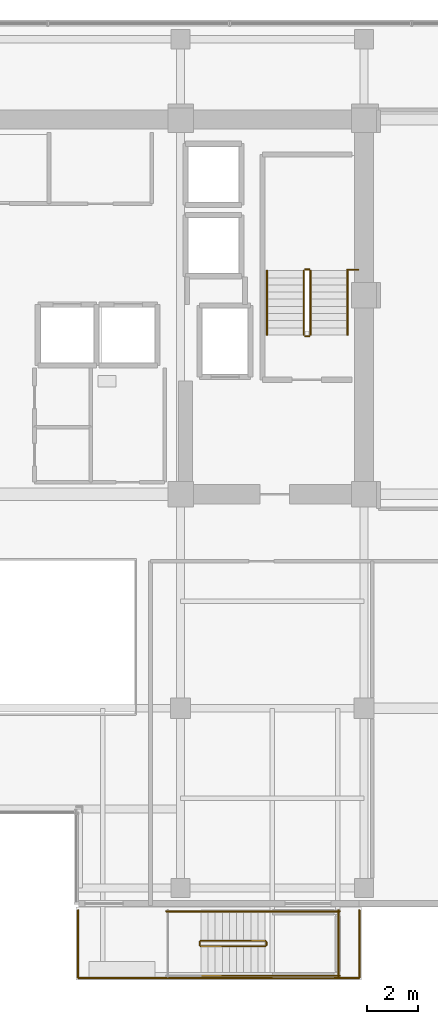
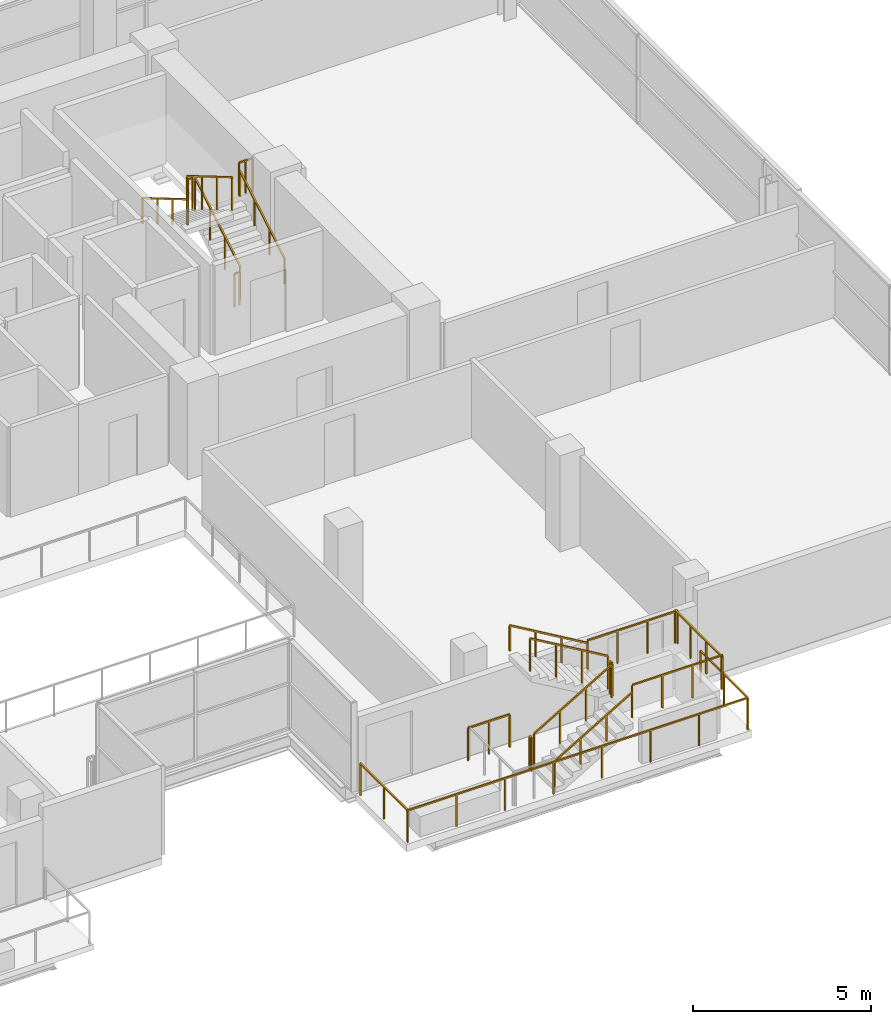
# One storey, part 22 of 23: 18 railings.
"""IFC4 building model written with IfcOpenShell, lengths in metres."""

from ifc_helpers import new_model, si_unit, direction, frame, origin, origin_2d, place, context, subcontext, project, spatial, rectangle, extrude, material, type_object, element, save


model = new_model("IFC4")

# Units and contexts
model_context = context("Model", 3, precision=1e-05, world=origin(), true_north=direction((0.0, 1.0)))
body_context = subcontext(model_context, "Body", "Model", "MODEL_VIEW")
ifc_project = project(units=[si_unit("LENGTHUNIT", "METRE"), si_unit("AREAUNIT", "SQUARE_METRE"), si_unit("VOLUMEUNIT", "CUBIC_METRE"), si_unit("PLANEANGLEUNIT", "RADIAN"), si_unit("MASSUNIT", "GRAM", prefix="KILO")], contexts=[model_context])

# Site, building, storey
site_placement = place(None, origin())
site = spatial("IfcSite", under=ifc_project, at=site_placement, CompositionType="ELEMENT")
building_placement = place(site_placement, origin())
building = spatial("IfcBuilding", under=site, at=building_placement, Name="Zarnakvel Exchange Tower", CompositionType="ELEMENT")
storey_placement = place(building_placement, frame((0.0, 0.0, 172.60009765625)))
storey = spatial("IfcBuildingStorey", under=building, at=storey_placement, Name="L48", CompositionType="ELEMENT", Elevation=172.60009765625)

# Railings
ifc_material_1 = material(Name="Architectural Bronze Anodised Aluminium", Category="aluminium")
railing_type_1 = type_object("IfcRailingType", Name="GR-02", PredefinedType="GUARDRAIL", material=ifc_material_1)
railing_1_placement = place(storey_placement, frame((3.179931640625, -17.52001953125, 0.0)))
element("IfcRailing", 1, at=railing_1_placement, inside=storey, type_object=railing_type_1, Name="L48 Spiral Sky-Terrace Perimeter Guardrail", PredefinedType="GUARDRAIL", context=body_context, shape_type="SweptSolid", body=[
    extrude(rectangle(XDim=0.048095703125, YDim=0.048095703125, at=origin_2d()), frame((0.0, 0.0, 1.09619140625), z_axis=(0.0, -1.0, 0.0), x_axis=(1.0, 0.0, 0.0)), (0.0, 0.0, 1.0), 2.659912109375),
    extrude(rectangle(XDim=0.048095703125, YDim=0.048095703125, at=origin_2d()), frame((0.0, -2.659912109375, 1.09619140625), z_axis=(1.0, 0.0, 0.0), x_axis=(0.0, 1.0, 0.0)), (0.0, 0.0, 1.0), 11.0400390625),
    extrude(rectangle(XDim=0.048095703125, YDim=0.048095703125, at=origin_2d()), frame((11.0400390625, -2.659912109375, 1.09619140625), z_axis=(0.0, 1.0, 0.0), x_axis=(-1.0, 0.0, 0.0)), (0.0, 0.0, 1.0), 2.659912109375),
    extrude(rectangle(XDim=0.0419921875, YDim=0.0419921875, at=origin_2d()), origin(), (0.0, 0.0, 1.0), 1.072021484375),
    extrude(rectangle(XDim=0.0419921875, YDim=0.0419921875, at=origin_2d()), frame((0.0, -1.330078125, 0.0)), (0.0, 0.0, 1.0), 1.072021484375),
    extrude(rectangle(XDim=0.0419921875, YDim=0.0419921875, at=origin_2d()), frame((0.0, -2.659912109375, 0.0)), (0.0, 0.0, 1.0), 1.072021484375),
    extrude(rectangle(XDim=0.0419921875, YDim=0.0419921875, at=origin_2d()), frame((1.5771484375, -2.659912109375, 0.0)), (0.0, 0.0, 1.0), 1.072021484375),
    extrude(rectangle(XDim=0.0419921875, YDim=0.0419921875, at=origin_2d()), frame((3.154296875, -2.659912109375, 0.0)), (0.0, 0.0, 1.0), 1.072021484375),
    extrude(rectangle(XDim=0.0419921875, YDim=0.0419921875, at=origin_2d()), frame((4.7314453125, -2.659912109375, 0.0)), (0.0, 0.0, 1.0), 1.072021484375),
    extrude(rectangle(XDim=0.0419921875, YDim=0.0419921875, at=origin_2d()), frame((6.30859375, -2.659912109375, 0.0)), (0.0, 0.0, 1.0), 1.072021484375),
    extrude(rectangle(XDim=0.0419921875, YDim=0.0419921875, at=origin_2d()), frame((7.8857421875, -2.659912109375, 0.0)), (0.0, 0.0, 1.0), 1.072021484375),
    extrude(rectangle(XDim=0.0419921875, YDim=0.0419921875, at=origin_2d()), frame((9.462890625, -2.659912109375, 0.0)), (0.0, 0.0, 1.0), 1.072021484375),
    extrude(rectangle(XDim=0.0419921875, YDim=0.0419921875, at=origin_2d()), frame((11.0400390625, -2.659912109375, 0.0)), (0.0, 0.0, 1.0), 1.072021484375),
    extrude(rectangle(XDim=0.0419921875, YDim=0.0419921875, at=origin_2d()), frame((11.0400390625, -1.330078125, 0.0)), (0.0, 0.0, 1.0), 1.072021484375),
    extrude(rectangle(XDim=0.0419921875, YDim=0.0419921875, at=origin_2d()), frame((11.0400390625, 0.0, 0.0)), (0.0, 0.0, 1.0), 1.072021484375),
])
ifc_material_2 = material(Name="Brushed Stainless Steel", Category="steel")
railing_type_2 = type_object("IfcRailingType", Name="HR-01", PredefinedType="HANDRAIL", material=ifc_material_2)
railing_2_placement = place(storey_placement, frame((13.75, 5.050048828125, 0.164794921875)))
element("IfcRailing", 2, at=railing_2_placement, inside=storey, type_object=railing_type_2, Name="L48 ST-02 stair handrail 1", PredefinedType="HANDRAIL", context=body_context, shape_type="SweptSolid", body=[
    extrude(rectangle(XDim=0.048095703125, YDim=0.048095703125, at=origin_2d()), frame((0.0, 0.0, 0.8759765625), z_axis=(0.0, 0.86152411907, 0.507716645641), x_axis=(-1.0, 0.0, 0.0)), (0.0, 0.0, 1.0), 2.925048828125),
    extrude(rectangle(XDim=0.0419921875, YDim=0.0419921875, at=origin_2d()), origin(), (0.0, 0.0, 1.0), 0.851806640625),
    extrude(rectangle(XDim=0.0419921875, YDim=0.0419921875, at=origin_2d()), frame((0.0, 0.840087890625, 0.4951171875)), (0.0, 0.0, 1.0), 0.851806640625),
    extrude(rectangle(XDim=0.0419921875, YDim=0.0419921875, at=origin_2d()), frame((0.0, 1.679931640625, 0.989990234375)), (0.0, 0.0, 1.0), 0.851806640625),
    extrude(rectangle(XDim=0.0419921875, YDim=0.0419921875, at=origin_2d()), frame((0.0, 2.52001953125, 1.485107421875)), (0.0, 0.0, 1.0), 0.851806640625),
])
railing_3_placement = place(storey_placement, frame((10.590087890625, 7.570068359375, 1.81494140625)))
element("IfcRailing", 3, at=railing_3_placement, inside=storey, type_object=railing_type_2, Name="L48 ST-02 stair handrail 2", PredefinedType="HANDRAIL", context=body_context, shape_type="SweptSolid", body=[
    extrude(rectangle(XDim=0.048095703125, YDim=0.048095703125, at=origin_2d()), frame((0.0, 0.0, 0.8759765625), z_axis=(0.0, -0.861560626758, 0.507654692109), x_axis=(1.0, 0.0, 0.0)), (0.0, 0.0, 1.0), 2.925048828125),
    extrude(rectangle(XDim=0.0419921875, YDim=0.0419921875, at=origin_2d()), origin(), (0.0, 0.0, 1.0), 0.851806640625),
    extrude(rectangle(XDim=0.0419921875, YDim=0.0419921875, at=origin_2d()), frame((0.0, -0.840087890625, 0.494873046875)), (0.0, 0.0, 1.0), 0.851806640625),
    extrude(rectangle(XDim=0.0419921875, YDim=0.0419921875, at=origin_2d()), frame((0.0, -1.679931640625, 0.989990234375)), (0.0, 0.0, 1.0), 0.851806640625),
    extrude(rectangle(XDim=0.0419921875, YDim=0.0419921875, at=origin_2d()), frame((0.0, -2.52001953125, 1.48486328125)), (0.0, 0.0, 1.0), 0.851806640625),
])
railing_4_placement = place(storey_placement, frame((8.0, -20.090087890625, 0.164794921875)))
element("IfcRailing", 4, at=railing_4_placement, inside=storey, type_object=railing_type_2, Name="L48 ST-12 stair handrail 1", PredefinedType="HANDRAIL", context=body_context, shape_type="SweptSolid", body=[
    extrude(rectangle(XDim=0.048095703125, YDim=0.048095703125, at=origin_2d()), frame((0.0, 0.0, 0.8759765625), z_axis=(0.86152411907, 0.0, 0.507716645641), x_axis=(0.0, 1.0, 0.0)), (0.0, 0.0, 1.0), 2.925048828125),
    extrude(rectangle(XDim=0.0419921875, YDim=0.0419921875, at=origin_2d()), origin(), (0.0, 0.0, 1.0), 0.851806640625),
    extrude(rectangle(XDim=0.0419921875, YDim=0.0419921875, at=origin_2d()), frame((0.840087890625, 0.0, 0.4951171875)), (0.0, 0.0, 1.0), 0.851806640625),
    extrude(rectangle(XDim=0.0419921875, YDim=0.0419921875, at=origin_2d()), frame((1.679931640625, 0.0, 0.989990234375)), (0.0, 0.0, 1.0), 0.851806640625),
    extrude(rectangle(XDim=0.0419921875, YDim=0.0419921875, at=origin_2d()), frame((2.52001953125, 0.0, 1.485107421875)), (0.0, 0.0, 1.0), 0.851806640625),
])
railing_5_placement = place(storey_placement, frame((10.52001953125, -17.570068359375, 1.81494140625)))
element("IfcRailing", 5, at=railing_5_placement, inside=storey, type_object=railing_type_2, Name="L48 ST-12 stair handrail 2", PredefinedType="HANDRAIL", context=body_context, shape_type="SweptSolid", body=[
    extrude(rectangle(XDim=0.048095703125, YDim=0.048095703125, at=origin_2d()), frame((0.0, 0.0, 0.8759765625), z_axis=(-0.861560626758, 0.0, 0.507654692109), x_axis=(0.0, -1.0, 0.0)), (0.0, 0.0, 1.0), 2.925048828125),
    extrude(rectangle(XDim=0.0419921875, YDim=0.0419921875, at=origin_2d()), origin(), (0.0, 0.0, 1.0), 0.851806640625),
    extrude(rectangle(XDim=0.0419921875, YDim=0.0419921875, at=origin_2d()), frame((-0.840087890625, 0.0, 0.494873046875)), (0.0, 0.0, 1.0), 0.851806640625),
    extrude(rectangle(XDim=0.0419921875, YDim=0.0419921875, at=origin_2d()), frame((-1.679931640625, 0.0, 0.989990234375)), (0.0, 0.0, 1.0), 0.851806640625),
    extrude(rectangle(XDim=0.0419921875, YDim=0.0419921875, at=origin_2d()), frame((-2.52001953125, 0.0, 1.48486328125)), (0.0, 0.0, 1.0), 0.851806640625),
])
railing_type_3 = type_object("IfcRailingType", Name="SG-01", PredefinedType="GUARDRAIL", material=ifc_material_1)
railing_6_placement = place(storey_placement, frame((12.300048828125, 5.050048828125, 0.164794921875)))
element("IfcRailing", 6, at=railing_6_placement, inside=storey, type_object=railing_type_3, Name="L48 ST-02 stair guard 1", PredefinedType="GUARDRAIL", context=body_context, shape_type="SweptSolid", body=[
    extrude(rectangle(XDim=0.048095703125, YDim=0.048095703125, at=origin_2d()), frame((0.0, 0.0, 1.1259765625), z_axis=(0.0, 0.86152411907, 0.507716645641), x_axis=(-1.0, 0.0, 0.0)), (0.0, 0.0, 1.0), 2.925048828125),
    extrude(rectangle(XDim=0.0419921875, YDim=0.0419921875, at=origin_2d()), origin(), (0.0, 0.0, 1.0), 1.101806640625),
    extrude(rectangle(XDim=0.0419921875, YDim=0.0419921875, at=origin_2d()), frame((0.0, 0.840087890625, 0.4951171875)), (0.0, 0.0, 1.0), 1.101806640625),
    extrude(rectangle(XDim=0.0419921875, YDim=0.0419921875, at=origin_2d()), frame((0.0, 1.679931640625, 0.989990234375)), (0.0, 0.0, 1.0), 1.101806640625),
    extrude(rectangle(XDim=0.0419921875, YDim=0.0419921875, at=origin_2d()), frame((0.0, 2.52001953125, 1.485107421875)), (0.0, 0.0, 1.0), 1.101806640625),
])
railing_7_placement = place(storey_placement, frame((12.25, 7.6201171875, 1.64990234375)))
element("IfcRailing", 7, at=railing_7_placement, inside=storey, type_object=railing_type_3, Name="L48 ST-02 stair guard 2", PredefinedType="GUARDRAIL", context=body_context, shape_type="SweptSolid", body=[
    extrude(rectangle(XDim=0.048095703125, YDim=0.048095703125, at=origin_2d()), frame((0.0, 0.0, 1.1259765625), z_axis=(-1.0, 0.0, 0.0), x_axis=(0.0, -1.0, 0.0)), (0.0, 0.0, 1.0), 0.159912109375),
    extrude(rectangle(XDim=0.0419921875, YDim=0.0419921875, at=origin_2d()), origin(), (0.0, 0.0, 1.0), 1.101806640625),
    extrude(rectangle(XDim=0.0419921875, YDim=0.0419921875, at=origin_2d()), frame((-0.159912109375, 0.0, 0.0)), (0.0, 0.0, 1.0), 1.101806640625),
])
railing_8_placement = place(storey_placement, frame((12.0400390625, 7.570068359375, 1.81494140625)))
element("IfcRailing", 8, at=railing_8_placement, inside=storey, type_object=railing_type_3, Name="L48 ST-02 stair guard 3", PredefinedType="GUARDRAIL", context=body_context, shape_type="SweptSolid", body=[
    extrude(rectangle(XDim=0.048095703125, YDim=0.048095703125, at=origin_2d()), frame((0.0, 0.0, 1.1259765625), z_axis=(0.0, -0.861560626758, 0.507654692109), x_axis=(1.0, 0.0, 0.0)), (0.0, 0.0, 1.0), 2.925048828125),
    extrude(rectangle(XDim=0.0419921875, YDim=0.0419921875, at=origin_2d()), origin(), (0.0, 0.0, 1.0), 1.101806640625),
    extrude(rectangle(XDim=0.0419921875, YDim=0.0419921875, at=origin_2d()), frame((0.0, -0.840087890625, 0.494873046875)), (0.0, 0.0, 1.0), 1.101806640625),
    extrude(rectangle(XDim=0.0419921875, YDim=0.0419921875, at=origin_2d()), frame((0.0, -1.679931640625, 0.989990234375)), (0.0, 0.0, 1.0), 1.101806640625),
    extrude(rectangle(XDim=0.0419921875, YDim=0.0419921875, at=origin_2d()), frame((0.0, -2.52001953125, 1.48486328125)), (0.0, 0.0, 1.0), 1.101806640625),
])
railing_9_placement = place(storey_placement, frame((12.25, 5.0, 0.0)))
element("IfcRailing", 9, at=railing_9_placement, inside=storey, type_object=railing_type_3, Name="L48 ST-02 stair guard 4", PredefinedType="GUARDRAIL", context=body_context, shape_type="SweptSolid", body=[
    extrude(rectangle(XDim=0.048095703125, YDim=0.048095703125, at=origin_2d()), frame((0.0, 0.0, 1.1259765625), z_axis=(-1.0, 0.0, 0.0), x_axis=(0.0, -1.0, 0.0)), (0.0, 0.0, 1.0), 0.159912109375),
    extrude(rectangle(XDim=0.0419921875, YDim=0.0419921875, at=origin_2d()), origin(), (0.0, 0.0, 1.0), 1.101806640625),
    extrude(rectangle(XDim=0.0419921875, YDim=0.0419921875, at=origin_2d()), frame((-0.159912109375, 0.0, 0.0)), (0.0, 0.0, 1.0), 1.101806640625),
])
railing_10_placement = place(storey_placement, frame((13.75, 7.610107421875, 1.64990234375)))
element("IfcRailing", 10, at=railing_10_placement, inside=storey, type_object=railing_type_3, Name="L48 ST-02 Landing Slot Guardrail", PredefinedType="GUARDRAIL", context=body_context, shape_type="SweptSolid", body=[
    extrude(rectangle(XDim=0.048095703125, YDim=0.048095703125, at=origin_2d()), frame((0.0, 0.0, 1.1259765625), z_axis=(1.0, 0.0, 0.0), x_axis=(0.0, 1.0, 0.0)), (0.0, 0.0, 1.0), 0.429931640625),
    extrude(rectangle(XDim=0.0419921875, YDim=0.0419921875, at=origin_2d()), origin(), (0.0, 0.0, 1.0), 1.101806640625),
    extrude(rectangle(XDim=0.0419921875, YDim=0.0419921875, at=origin_2d()), frame((0.21484375, 0.0, 0.0)), (0.0, 0.0, 1.0), 1.101806640625),
    extrude(rectangle(XDim=0.0419921875, YDim=0.0419921875, at=origin_2d()), frame((0.429931640625, 0.0, 0.0)), (0.0, 0.0, 1.0), 1.101806640625),
])
railing_11_placement = place(storey_placement, frame((8.0, -18.93994140625, 0.164794921875)))
element("IfcRailing", 11, at=railing_11_placement, inside=storey, type_object=railing_type_3, Name="L48 ST-12 stair guard 1", PredefinedType="GUARDRAIL", context=body_context, shape_type="SweptSolid", body=[
    extrude(rectangle(XDim=0.048095703125, YDim=0.048095703125, at=origin_2d()), frame((0.0, 0.0, 1.1259765625), z_axis=(0.86152411907, 0.0, 0.507716645641), x_axis=(0.0, 1.0, 0.0)), (0.0, 0.0, 1.0), 2.925048828125),
    extrude(rectangle(XDim=0.0419921875, YDim=0.0419921875, at=origin_2d()), origin(), (0.0, 0.0, 1.0), 1.101806640625),
    extrude(rectangle(XDim=0.0419921875, YDim=0.0419921875, at=origin_2d()), frame((0.840087890625, 0.0, 0.4951171875)), (0.0, 0.0, 1.0), 1.101806640625),
    extrude(rectangle(XDim=0.0419921875, YDim=0.0419921875, at=origin_2d()), frame((1.679931640625, 0.0, 0.989990234375)), (0.0, 0.0, 1.0), 1.101806640625),
    extrude(rectangle(XDim=0.0419921875, YDim=0.0419921875, at=origin_2d()), frame((2.52001953125, 0.0, 1.485107421875)), (0.0, 0.0, 1.0), 1.101806640625),
])
railing_12_placement = place(storey_placement, frame((10.570068359375, -18.889892578125, 1.64990234375)))
element("IfcRailing", 12, at=railing_12_placement, inside=storey, type_object=railing_type_3, Name="L48 ST-12 stair guard 2", PredefinedType="GUARDRAIL", context=body_context, shape_type="SweptSolid", body=[
    extrude(rectangle(XDim=0.048095703125, YDim=0.048095703125, at=origin_2d()), frame((0.0, 0.0, 1.1259765625), z_axis=(0.0, 1.0, 0.0), x_axis=(-1.0, 0.0, 0.0)), (0.0, 0.0, 1.0), 0.119873046875),
    extrude(rectangle(XDim=0.0419921875, YDim=0.0419921875, at=origin_2d()), origin(), (0.0, 0.0, 1.0), 1.101806640625),
    extrude(rectangle(XDim=0.0419921875, YDim=0.0419921875, at=origin_2d()), frame((0.0, 0.119873046875, 0.0)), (0.0, 0.0, 1.0), 1.101806640625),
])
for number, where, name in (
    (13, (10.52001953125, -20.090087890625, 1.64990234375), "L48 ST-12 stair guard 3"),
    (14, (10.52001953125, -17.570068359375, 1.64990234375), "L48 ST-12 stair guard 4"),
):
    element("IfcRailing", number, at=place(storey_placement, frame(where)), inside=storey, type_object=railing_type_3, Name=name, PredefinedType="GUARDRAIL", context=body_context, shape_type="SweptSolid", body=[
        extrude(rectangle(XDim=0.048095703125, YDim=0.048095703125, at=origin_2d()), frame((0.0, 0.0, 1.1259765625), z_axis=(1.0, 0.0, 0.0), x_axis=(0.0, 1.0, 0.0)), (0.0, 0.0, 1.0), 2.929931640625),
        extrude(rectangle(XDim=0.0419921875, YDim=0.0419921875, at=origin_2d()), origin(), (0.0, 0.0, 1.0), 1.101806640625),
        extrude(rectangle(XDim=0.0419921875, YDim=0.0419921875, at=origin_2d()), frame((0.9765625, 0.0, 0.0)), (0.0, 0.0, 1.0), 1.101806640625),
        extrude(rectangle(XDim=0.0419921875, YDim=0.0419921875, at=origin_2d()), frame((1.953369140625, 0.0, 0.0)), (0.0, 0.0, 1.0), 1.101806640625),
        extrude(rectangle(XDim=0.0419921875, YDim=0.0419921875, at=origin_2d()), frame((2.929931640625, 0.0, 0.0)), (0.0, 0.0, 1.0), 1.101806640625),
    ])
railing_13_placement = place(storey_placement, frame((13.39990234375, -20.139892578125, 1.64990234375)))
element("IfcRailing", 15, at=railing_13_placement, inside=storey, type_object=railing_type_3, Name="L48 ST-12 stair guard 5", PredefinedType="GUARDRAIL", context=body_context, shape_type="SweptSolid", body=[
    extrude(rectangle(XDim=0.048095703125, YDim=0.048095703125, at=origin_2d()), frame((0.0, 0.0, 1.1259765625), z_axis=(0.0, 1.0, 0.0), x_axis=(-1.0, 0.0, 0.0)), (0.0, 0.0, 1.0), 2.619873046875),
    extrude(rectangle(XDim=0.0419921875, YDim=0.0419921875, at=origin_2d()), origin(), (0.0, 0.0, 1.0), 1.101806640625),
    extrude(rectangle(XDim=0.0419921875, YDim=0.0419921875, at=origin_2d()), frame((0.0, 0.873291015625, 0.0)), (0.0, 0.0, 1.0), 1.101806640625),
    extrude(rectangle(XDim=0.0419921875, YDim=0.0419921875, at=origin_2d()), frame((0.0, 1.74658203125, 0.0)), (0.0, 0.0, 1.0), 1.101806640625),
    extrude(rectangle(XDim=0.0419921875, YDim=0.0419921875, at=origin_2d()), frame((0.0, 2.619873046875, 0.0)), (0.0, 0.0, 1.0), 1.101806640625),
])
railing_14_placement = place(storey_placement, frame((10.52001953125, -18.719970703125, 1.81494140625)))
element("IfcRailing", 16, at=railing_14_placement, inside=storey, type_object=railing_type_3, Name="L48 ST-12 stair guard 6", PredefinedType="GUARDRAIL", context=body_context, shape_type="SweptSolid", body=[
    extrude(rectangle(XDim=0.048095703125, YDim=0.048095703125, at=origin_2d()), frame((0.0, 0.0, 1.1259765625), z_axis=(-0.861560626758, 0.0, 0.507654692109), x_axis=(0.0, -1.0, 0.0)), (0.0, 0.0, 1.0), 2.925048828125),
    extrude(rectangle(XDim=0.0419921875, YDim=0.0419921875, at=origin_2d()), origin(), (0.0, 0.0, 1.0), 1.101806640625),
    extrude(rectangle(XDim=0.0419921875, YDim=0.0419921875, at=origin_2d()), frame((-0.840087890625, 0.0, 0.494873046875)), (0.0, 0.0, 1.0), 1.101806640625),
    extrude(rectangle(XDim=0.0419921875, YDim=0.0419921875, at=origin_2d()), frame((-1.679931640625, 0.0, 0.989990234375)), (0.0, 0.0, 1.0), 1.101806640625),
    extrude(rectangle(XDim=0.0419921875, YDim=0.0419921875, at=origin_2d()), frame((-2.52001953125, 0.0, 1.48486328125)), (0.0, 0.0, 1.0), 1.101806640625),
])
railing_15_placement = place(storey_placement, frame((7.949951171875, -18.889892578125, 0.0)))
element("IfcRailing", 17, at=railing_15_placement, inside=storey, type_object=railing_type_3, Name="L48 ST-12 stair guard 7", PredefinedType="GUARDRAIL", context=body_context, shape_type="SweptSolid", body=[
    extrude(rectangle(XDim=0.048095703125, YDim=0.048095703125, at=origin_2d()), frame((0.0, 0.0, 1.1259765625), z_axis=(0.0, 1.0, 0.0), x_axis=(-1.0, 0.0, 0.0)), (0.0, 0.0, 1.0), 0.119873046875),
    extrude(rectangle(XDim=0.0419921875, YDim=0.0419921875, at=origin_2d()), origin(), (0.0, 0.0, 1.0), 1.101806640625),
    extrude(rectangle(XDim=0.0419921875, YDim=0.0419921875, at=origin_2d()), frame((0.0, 0.119873046875, 0.0)), (0.0, 0.0, 1.0), 1.101806640625),
])
railing_16_placement = place(storey_placement, frame((6.64990234375, -17.570068359375, 0.0)))
element("IfcRailing", 18, at=railing_16_placement, inside=storey, type_object=railing_type_3, Name="L48 ST-12 stair guard 9", PredefinedType="GUARDRAIL", context=body_context, shape_type="SweptSolid", body=[
    extrude(rectangle(XDim=0.048095703125, YDim=0.048095703125, at=origin_2d()), frame((0.0, 0.0, 1.1259765625), z_axis=(1.0, 0.0, 0.0), x_axis=(0.0, 1.0, 0.0)), (0.0, 0.0, 1.0), 1.35009765625),
    extrude(rectangle(XDim=0.0419921875, YDim=0.0419921875, at=origin_2d()), origin(), (0.0, 0.0, 1.0), 1.101806640625),
    extrude(rectangle(XDim=0.0419921875, YDim=0.0419921875, at=origin_2d()), frame((0.675048828125, 0.0, 0.0)), (0.0, 0.0, 1.0), 1.101806640625),
    extrude(rectangle(XDim=0.0419921875, YDim=0.0419921875, at=origin_2d()), frame((1.35009765625, 0.0, 0.0)), (0.0, 0.0, 1.0), 1.101806640625),
])

save(model, "model.ifc")
